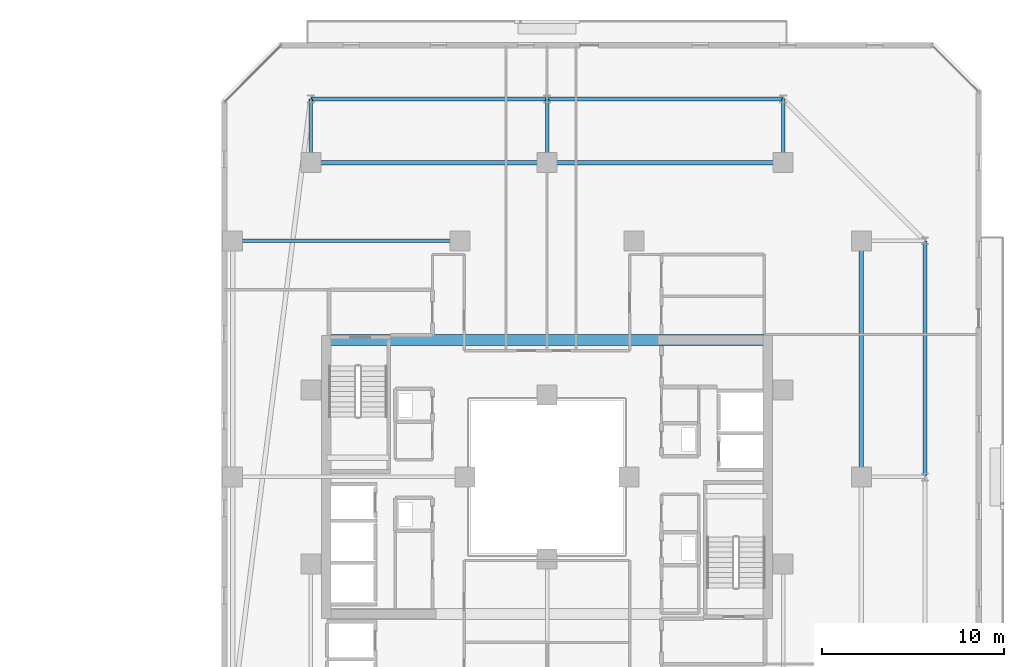
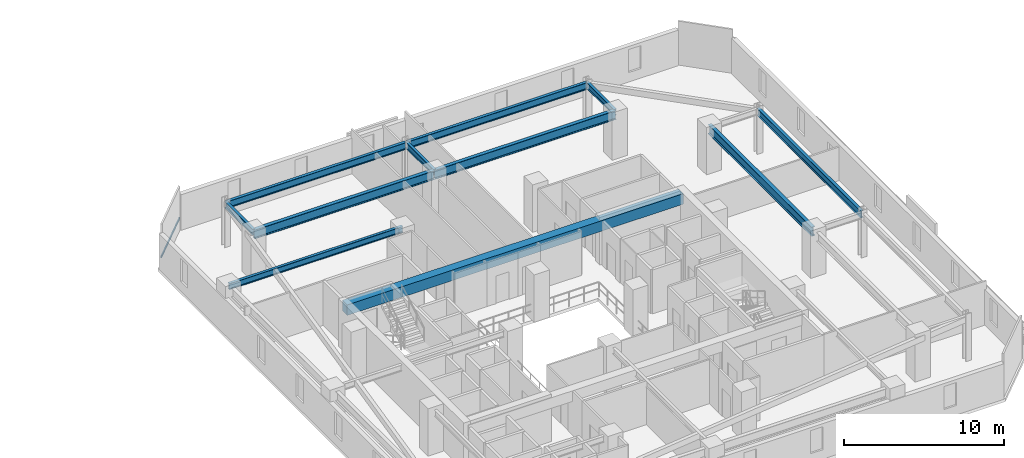
# One storey, part 15 of 33: 11 beams, 1 member, 1 element without a shape of its own.
"""IFC4 building model written with IfcOpenShell, lengths in metres."""

from ifc_helpers import new_model, si_unit, direction, frame, origin, origin_2d, place, context, subcontext, project, spatial, rectangle, hollow_rectangle, i_section, extrude, material, material_profile, profile_set, type_object, element, aggregate, save


model = new_model("IFC4")

# Units and contexts
model_context = context("Model", 3, precision=1e-05, world=origin(), true_north=direction((0.0, 1.0)))
body_context = subcontext(model_context, "Body", "Model", "MODEL_VIEW")
ifc_project = project(units=[si_unit("LENGTHUNIT", "METRE"), si_unit("AREAUNIT", "SQUARE_METRE"), si_unit("VOLUMEUNIT", "CUBIC_METRE"), si_unit("PLANEANGLEUNIT", "RADIAN"), si_unit("MASSUNIT", "GRAM", prefix="KILO")], contexts=[model_context])

# Site, building, storey
site_placement = place(None, origin())
site = spatial("IfcSite", under=ifc_project, at=site_placement, CompositionType="ELEMENT")
building_placement = place(site_placement, origin())
building = spatial("IfcBuilding", under=site, at=building_placement, Name="Thornwick Lancets Civic Towers", CompositionType="ELEMENT")
storey_placement = place(building_placement, frame((0.0, 0.0, 163.5)))
storey = spatial("IfcBuildingStorey", under=building, at=storey_placement, Name="L43", CompositionType="ELEMENT", Elevation=163.5)

# Beams
ifc_material_1 = material(Name="Concrete C60/75", Category="concrete")
ifc_material_profile_1 = material_profile(ifc_material_1, rectangle(XDim=0.60009765625, YDim=0.800048828125, at=origin_2d()), Name="RC 600x800")
ifc_profile_set_1 = profile_set([ifc_material_profile_1], Name="Concrete C60/75")
beam_type_1 = type_object("IfcBeamType", Name="BM_COUP_RC800", PredefinedType="BEAM", material=ifc_profile_set_1)
beam_1_placement = place(storey_placement, frame((76.39990234375, 34.550048828125, 2.9599609375), z_axis=(1.0, 0.0, 0.0), x_axis=(0.0, 1.0, 0.0)))
element("IfcBeam", 1, at=beam_1_placement, inside=storey, type_object=beam_type_1, Name="CB-L43-B1", PredefinedType="BEAM", context=body_context, shape_type="SweptSolid", body=[
    extrude(rectangle(XDim=0.60009765625, YDim=0.800048828125, at=origin_2d()), origin(), (0.0, 0.0, 1.0), 24.2001953125),
])
ifc_material_2 = material(Name="Steel S355JR", Category="steel")
ifc_material_profile_2 = material_profile(ifc_material_2, i_section(OverallWidth=0.210693359375, OverallDepth=0.53955078125, WebThickness=0.01171875, FlangeThickness=0.018798828125, FilletRadius=0.0126953125, at=origin_2d()), Name="UKB 533x210x109")
ifc_profile_set_2 = profile_set([ifc_material_profile_2], Name="Steel S355JR")
beam_type_2 = type_object("IfcBeamType", Name="BM_EDGE_533_109", PredefinedType="SPANDREL", material=ifc_profile_set_2)
beam_2_placement = place(storey_placement, frame((109.300048828125, 27.080078125, 3.09033203125), z_axis=(0.0, 1.0, 0.0), x_axis=(-1.0, 0.0, 0.0)))
element("IfcBeam", 2, at=beam_2_placement, inside=storey, type_object=beam_type_2, Name="BM-EDGE-L43-B-S0-2", PredefinedType="SPANDREL", context=body_context, shape_type="SweptSolid", body=[
    extrude(i_section(OverallWidth=0.210693359375, OverallDepth=0.53955078125, WebThickness=0.01171875, FlangeThickness=0.018798828125, FilletRadius=0.0126953125, at=origin_2d()), origin(), (0.0, 0.0, 1.0), 12.919921875),
])
beam_3_placement = place(storey_placement, frame((101.5, 47.800048828125, 3.09033203125), z_axis=(-1.0, 0.0, 0.0), x_axis=(0.0, -1.0, 0.0)))
element("IfcBeam", 3, at=beam_3_placement, inside=storey, type_object=beam_type_2, Name="BM-EDGE-L43-B-S1-1", PredefinedType="SPANDREL", context=body_context, shape_type="SweptSolid", body=[
    extrude(i_section(OverallWidth=0.210693359375, OverallDepth=0.53955078125, WebThickness=0.01171875, FlangeThickness=0.018798828125, FilletRadius=0.0126953125, at=origin_2d()), origin(), (0.0, 0.0, 1.0), 13.0),
])
beam_4_placement = place(storey_placement, frame((88.419921875, 47.800048828125, 3.09033203125), z_axis=(-1.0, 0.0, 0.0), x_axis=(0.0, -1.0, 0.0)))
element("IfcBeam", 4, at=beam_4_placement, inside=storey, type_object=beam_type_2, Name="BM-EDGE-L43-B-S1-2", PredefinedType="SPANDREL", context=body_context, shape_type="SweptSolid", body=[
    extrude(i_section(OverallWidth=0.210693359375, OverallDepth=0.53955078125, WebThickness=0.01171875, FlangeThickness=0.018798828125, FilletRadius=0.0126953125, at=origin_2d()), origin(), (0.0, 0.0, 1.0), 12.919921875),
])
ifc_material_profile_3 = material_profile(ifc_material_2, i_section(OverallWidth=0.255859375, OverallDepth=0.69287109375, WebThickness=0.014404296875, FlangeThickness=0.023681640625, FilletRadius=0.01513671875, at=origin_2d()), Name="UKB 686x254x170")
ifc_profile_set_3 = profile_set([ifc_material_profile_3], Name="Steel S355JR")
beam_type_3 = type_object("IfcBeamType", Name="BM_GIRD_686_170", PredefinedType="BEAM", material=ifc_profile_set_3)
beam_5_placement = place(storey_placement, frame((105.800048828125, 27.080078125, 3.013671875), z_axis=(0.0, 1.0, 0.0), x_axis=(-1.0, 0.0, 0.0)))
element("IfcBeam", 5, at=beam_5_placement, inside=storey, type_object=beam_type_3, Name="BM-SPINE-L43-B-1-2", PredefinedType="BEAM", context=body_context, shape_type="SweptSolid", body=[
    extrude(i_section(OverallWidth=0.255859375, OverallDepth=0.69287109375, WebThickness=0.014404296875, FlangeThickness=0.023681640625, FilletRadius=0.01513671875, at=origin_2d()), origin(), (0.0, 0.0, 1.0), 12.919921875),
])
beam_6_placement = place(storey_placement, frame((101.5, 44.300048828125, 3.013671875), z_axis=(-1.0, 0.0, 0.0), x_axis=(0.0, -1.0, 0.0)))
element("IfcBeam", 6, at=beam_6_placement, inside=storey, type_object=beam_type_3, Name="BM-SPINE-L43-B-3-4", PredefinedType="BEAM", context=body_context, shape_type="SweptSolid", body=[
    extrude(i_section(OverallWidth=0.255859375, OverallDepth=0.69287109375, WebThickness=0.014404296875, FlangeThickness=0.023681640625, FilletRadius=0.01513671875, at=origin_2d()), origin(), (0.0, 0.0, 1.0), 13.0),
])
beam_7_placement = place(storey_placement, frame((88.419921875, 44.300048828125, 3.013671875), z_axis=(-1.0, 0.0, 0.0), x_axis=(0.0, -1.0, 0.0)))
element("IfcBeam", 7, at=beam_7_placement, inside=storey, type_object=beam_type_3, Name="BM-SPINE-L43-B-4-5", PredefinedType="BEAM", context=body_context, shape_type="SweptSolid", body=[
    extrude(i_section(OverallWidth=0.255859375, OverallDepth=0.69287109375, WebThickness=0.014404296875, FlangeThickness=0.023681640625, FilletRadius=0.01513671875, at=origin_2d()), origin(), (0.0, 0.0, 1.0), 12.919921875),
])
ifc_material_profile_4 = material_profile(ifc_material_2, i_section(OverallWidth=0.19287109375, OverallDepth=0.46728515625, WebThickness=0.011474609375, FlangeThickness=0.01953125, FilletRadius=0.01025390625, at=origin_2d()), Name="UKB 457x191x98")
ifc_profile_set_4 = profile_set([ifc_material_profile_4], Name="Steel S355JR")
beam_type_4 = type_object("IfcBeamType", Name="BM_JOIST_457_98", PredefinedType="JOIST", material=ifc_profile_set_4)
for number, where, z_axis, x_axis, name in (
    (8, (101.5, 44.300048828125, 3.12646484375), (0.0, 1.0, 0.0), (-1.0, 0.0, 0.0), "BM-RAD-L43-B04"),
    (9, (88.5, 44.300048828125, 3.12646484375), (0.0, 1.0, 0.0), (-1.0, 0.0, 0.0), "BM-RAD-L43-B05"),
    (10, (75.5, 44.300048828125, 3.12646484375), (0.0, 1.0, 0.0), (-1.0, 0.0, 0.0), "BM-RAD-L43-B06"),
):
    element("IfcBeam", number, at=place(storey_placement, frame(where, z_axis=z_axis, x_axis=x_axis)), inside=storey, type_object=beam_type_4, Name=name, PredefinedType="JOIST", context=body_context, shape_type="SweptSolid", body=[
        extrude(i_section(OverallWidth=0.19287109375, OverallDepth=0.46728515625, WebThickness=0.011474609375, FlangeThickness=0.01953125, FilletRadius=0.01025390625, at=origin_2d()), origin(), (0.0, 0.0, 1.0), 3.5),
    ])
beam_8_placement = place(storey_placement, frame((83.699951171875, 40.0, 3.12646484375), z_axis=(-1.0, 0.0, 0.0), x_axis=(0.0, -1.0, 0.0)))
element("IfcBeam", 11, at=beam_8_placement, inside=storey, type_object=beam_type_4, Name="BM-RADIN-L43-B09", PredefinedType="JOIST", context=body_context, shape_type="SweptSolid", body=[
    extrude(i_section(OverallWidth=0.19287109375, OverallDepth=0.46728515625, WebThickness=0.011474609375, FlangeThickness=0.01953125, FilletRadius=0.01025390625, at=origin_2d()), origin(), (0.0, 0.0, 1.0), 12.5),
])

# Curtain wall, member
ifc_material_3 = material(Name="Mid-zone chamfered-corner unitised glass curtain wall", Category="glass")
curtain_wall_type = type_object("IfcCurtainWallType", Name="CW_SYS_04", PredefinedType="NOTDEFINED", material=ifc_material_3)
curtain_wall_placement = place(storey_placement, origin())
curtain_wall = element("IfcCurtainWall", 12, at=curtain_wall_placement, inside=storey, type_object=curtain_wall_type, Name="L43 Curtain Wall CW-L43-B-E5", PredefinedType="NOTDEFINED")
ifc_material_4 = material(Name="Thermally broken bronze aluminium S355", Category="steel")
ifc_material_profile_5 = material_profile(ifc_material_4, hollow_rectangle(XDim=0.074951171875, YDim=0.14990234375, WallThickness=0.0048828125, at=origin_2d()), Name="RHS 150x75x5")
ifc_profile_set_5 = profile_set([ifc_material_profile_5], Name="Thermally broken bronze aluminium S355")
member_type = type_object("IfcMemberType", Name="CW_TRN_150", PredefinedType="USERDEFINED", material=ifc_profile_set_5)
member_placement = place(storey_placement, frame((73.8564453125, 50.748779296875, 0.85009765625), z_axis=(-0.707106781187, -0.707106781187, 0.0), x_axis=(0.707106781187, -0.707106781187, 0.0)))
member = element("IfcMember", 13, at=member_placement, type_object=member_type, Name="CW-L43-B-E5 Transom 0", ObjectType="TRANSOM", PredefinedType="USERDEFINED", context=body_context, shape_type="SweptSolid", body=[
    extrude(hollow_rectangle(XDim=0.074951171875, YDim=0.14990234375, WallThickness=0.0048828125, at=origin_2d()), origin(), (0.0, 0.0, 1.0), 4.391357421875),
])
aggregate(curtain_wall, [member])

save(model, "model.ifc")
